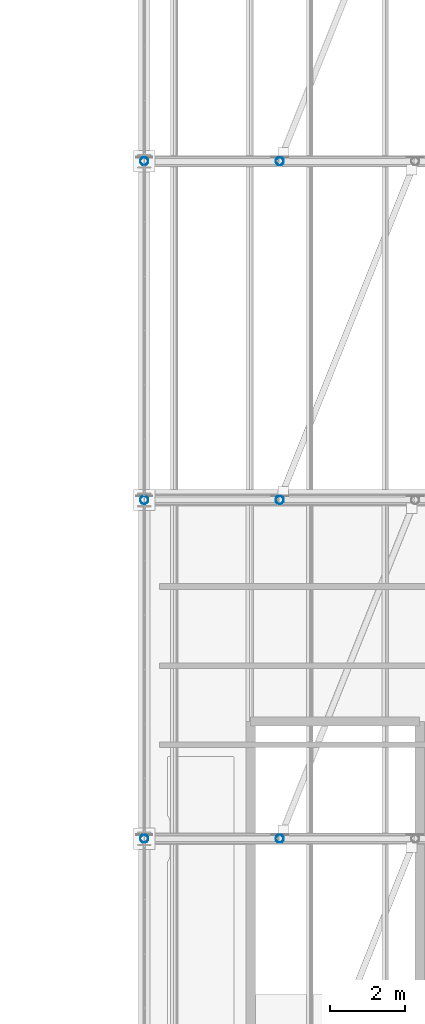
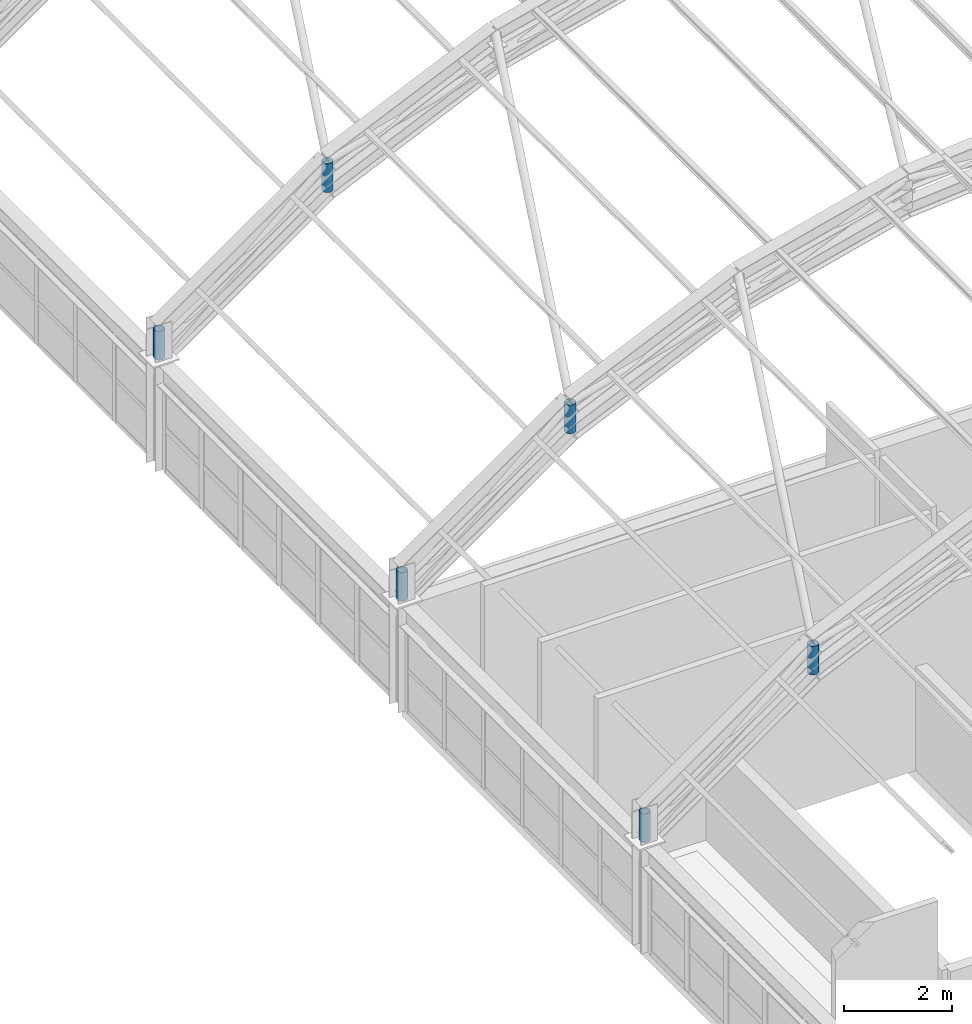
# One storey, part 86 of 121: 6 members.
"""IFC4 building model written with IfcOpenShell, lengths in metres."""

from ifc_helpers import new_model, si_unit, direction, frame, origin, origin_2d, place, context, subcontext, project, spatial, hollow_circle, extrude, material, material_profile, profile_set, type_object, element, save


model = new_model("IFC4")

# Units and contexts
model_context = context("Model", 3, precision=1e-05, world=origin(), true_north=direction((0.0, 1.0)))
body_context = subcontext(model_context, "Body", "Model", "MODEL_VIEW")
ifc_project = project(units=[si_unit("LENGTHUNIT", "METRE"), si_unit("AREAUNIT", "SQUARE_METRE"), si_unit("VOLUMEUNIT", "CUBIC_METRE"), si_unit("PLANEANGLEUNIT", "RADIAN"), si_unit("MASSUNIT", "GRAM", prefix="KILO")], contexts=[model_context])

# Site, building, storey
site_placement = place(None, origin())
site = spatial("IfcSite", under=ifc_project, at=site_placement, CompositionType="ELEMENT")
building_placement = place(site_placement, origin())
building = spatial("IfcBuilding", under=site, at=building_placement, Name="Canglan Escarpment Cableway Terminal", CompositionType="ELEMENT")
storey_placement = place(building_placement, frame((0.0, 0.0, 24.60009765625)))
storey = spatial("IfcBuildingStorey", under=building, at=storey_placement, Name="L05", CompositionType="ELEMENT", Elevation=24.60009765625)

# Members
ifc_material = material(Name="Steel Q355B", Category="steel")
ifc_material_profile = material_profile(ifc_material, hollow_circle(Radius=0.109619140625, WallThickness=0.008056640625, at=origin_2d()), Name="CHS 219.1x8")
ifc_profile_set = profile_set([ifc_material_profile], Name="Steel Q355B")
member_type = type_object("IfcMemberType", Name="MB-ARCH-WEB-CHS219", PredefinedType="BRACE", material=ifc_profile_set)
member_1_placement = place(storey_placement, frame((141.199951171875, 43.0, 4.966552734375), z_axis=(0.0, 0.0, 1.0), x_axis=(1.0, 0.0, 0.0)))
element("IfcMember", 1, at=member_1_placement, inside=storey, type_object=member_type, Name="Vault ROOF TRUSS vertical strut AR-WB1", PredefinedType="BRACE", context=body_context, shape_type="SweptSolid", body=[
    extrude(hollow_circle(Radius=0.109619140625, WallThickness=0.008056640625, at=origin_2d()), origin(), (0.0, 0.0, 1.0), 0.64990234375),
])
member_2_placement = place(storey_placement, frame((137.60009765625, 43.0, 2.432373046875), z_axis=(0.0, 0.0, 1.0), x_axis=(1.0, 0.0, 0.0)))
element("IfcMember", 2, at=member_2_placement, inside=storey, type_object=member_type, Name="Vault ROOF TRUSS springing strut AR-WB1", PredefinedType="BRACE", context=body_context, shape_type="SweptSolid", body=[
    extrude(hollow_circle(Radius=0.109619140625, WallThickness=0.008056640625, at=origin_2d()), origin(), (0.0, 0.0, 1.0), 0.650146484375),
])
member_3_placement = place(storey_placement, frame((141.199951171875, 52.0, 4.966552734375), z_axis=(0.0, 0.0, 1.0), x_axis=(1.0, 0.0, 0.0)))
element("IfcMember", 3, at=member_3_placement, inside=storey, type_object=member_type, Name="Vault ROOF TRUSS vertical strut AR-WB1", PredefinedType="BRACE", context=body_context, shape_type="SweptSolid", body=[
    extrude(hollow_circle(Radius=0.109619140625, WallThickness=0.008056640625, at=origin_2d()), origin(), (0.0, 0.0, 1.0), 0.64990234375),
])
member_4_placement = place(storey_placement, frame((137.60009765625, 52.0, 2.432373046875), z_axis=(0.0, 0.0, 1.0), x_axis=(1.0, 0.0, 0.0)))
element("IfcMember", 4, at=member_4_placement, inside=storey, type_object=member_type, Name="Vault ROOF TRUSS springing strut AR-WB1", PredefinedType="BRACE", context=body_context, shape_type="SweptSolid", body=[
    extrude(hollow_circle(Radius=0.109619140625, WallThickness=0.008056640625, at=origin_2d()), origin(), (0.0, 0.0, 1.0), 0.650146484375),
])
member_5_placement = place(storey_placement, frame((141.199951171875, 61.0, 4.966552734375), z_axis=(0.0, 0.0, 1.0), x_axis=(1.0, 0.0, 0.0)))
element("IfcMember", 5, at=member_5_placement, inside=storey, type_object=member_type, Name="Vault ROOF TRUSS vertical strut AR-WB1", PredefinedType="BRACE", context=body_context, shape_type="SweptSolid", body=[
    extrude(hollow_circle(Radius=0.109619140625, WallThickness=0.008056640625, at=origin_2d()), origin(), (0.0, 0.0, 1.0), 0.64990234375),
])
member_6_placement = place(storey_placement, frame((137.60009765625, 61.0, 2.432373046875), z_axis=(0.0, 0.0, 1.0), x_axis=(1.0, 0.0, 0.0)))
element("IfcMember", 6, at=member_6_placement, inside=storey, type_object=member_type, Name="Vault ROOF TRUSS springing strut AR-WB1", PredefinedType="BRACE", context=body_context, shape_type="SweptSolid", body=[
    extrude(hollow_circle(Radius=0.109619140625, WallThickness=0.008056640625, at=origin_2d()), origin(), (0.0, 0.0, 1.0), 0.650146484375),
])

save(model, "model.ifc")
